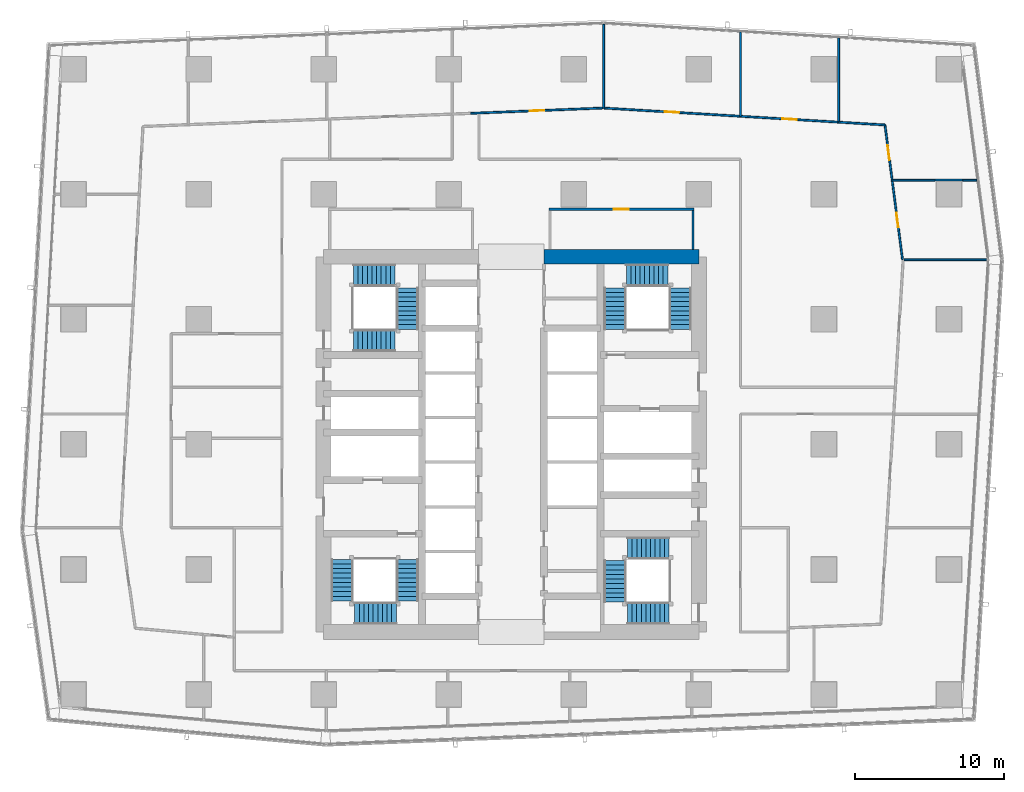
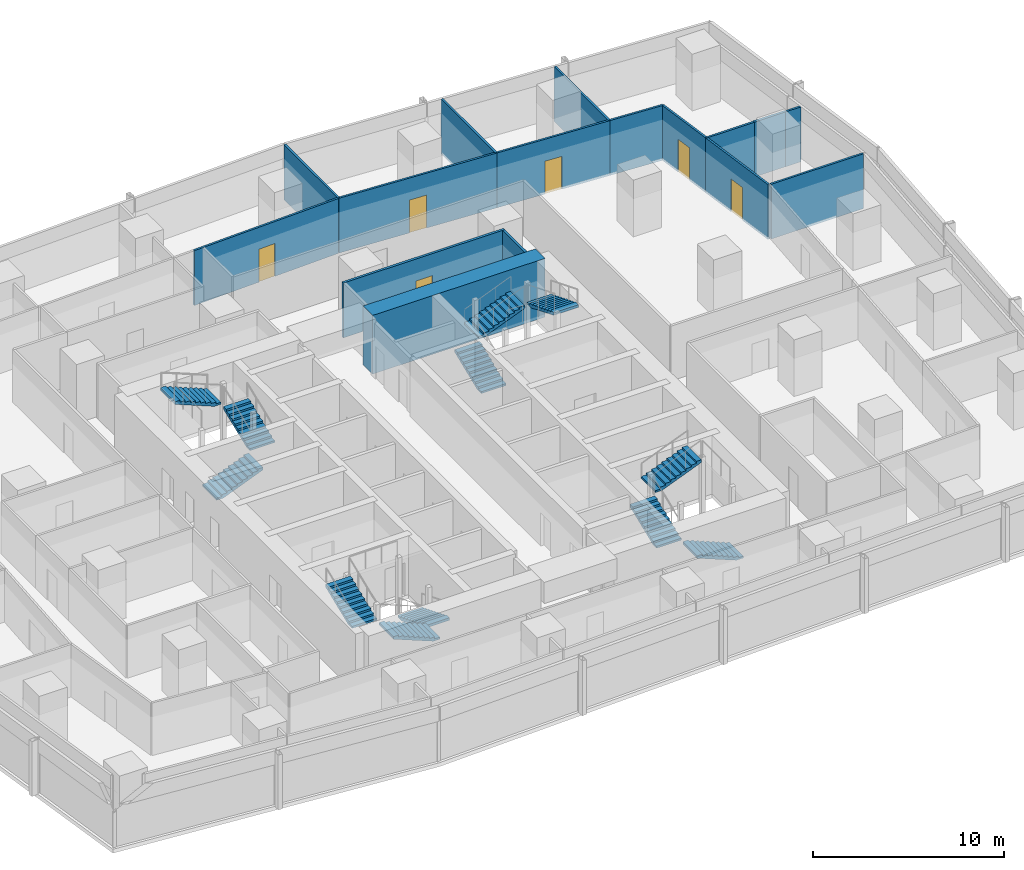
# One storey, part 32 of 40: 16 walls, 12 stair flights, 6 doors, 6 openings, 4 elements without a shape of their own.
"""IFC4 building model written with IfcOpenShell, lengths in metres."""

from ifc_helpers import new_model, si_unit, direction, frame, frame_2d, origin, place, context, subcontext, project, spatial, polyline, rectangle, outline, extrude, material, layer, layer_set, type_object, element, fill, aggregate, save


model = new_model("IFC4")

# Units and contexts
model_context = context("Model", 3, precision=1e-05, world=origin(), true_north=direction((0.0, 1.0)))
body_context = subcontext(model_context, "Body", "Model", "MODEL_VIEW")
ifc_project = project(units=[si_unit("LENGTHUNIT", "METRE"), si_unit("AREAUNIT", "SQUARE_METRE"), si_unit("VOLUMEUNIT", "CUBIC_METRE"), si_unit("PLANEANGLEUNIT", "RADIAN"), si_unit("MASSUNIT", "GRAM", prefix="KILO")], contexts=[model_context])

# Site, building, storey
site_placement = place(None, origin())
site = spatial("IfcSite", under=ifc_project, at=site_placement, CompositionType="ELEMENT")
building_placement = place(site_placement, origin())
building = spatial("IfcBuilding", under=site, at=building_placement, Name="Rekha Terrace Tower", CompositionType="ELEMENT")
storey_placement = place(building_placement, frame((0.0, 0.0, 140.300048828125)))
storey = spatial("IfcBuildingStorey", under=building, at=storey_placement, Name="L35", CompositionType="ELEMENT", Elevation=140.300048828125)

# Wall
ifc_material_1 = material(Name="Concrete M70", Category="concrete")
ifc_layer_1 = layer(ifc_material_1, 1.0)
ifc_layer_set_1 = layer_set([ifc_layer_1], Name="Concrete M70")
wall_type_1 = type_object("IfcWallType", Name="SW2 1000 core outer shear wall", PredefinedType="SHEAR", material=ifc_layer_set_1)
wall_1_placement = place(storey_placement, frame((40.0, 46.199951171875, 0.0), z_axis=(0.0, 0.0, 1.0), x_axis=(1.0, 0.0, 0.0)))
element("IfcWall", 1, at=wall_1_placement, inside=storey, type_object=wall_type_1, Name="Core wall N2 L35", PredefinedType="SHEAR", context=body_context, shape_type="SweptSolid", body=[
    extrude(rectangle(XDim=10.39990234375, YDim=1.0, at=frame_2d((5.199951171875, 0.0))), origin(), (0.0, 0.0, 1.0), 3.75),
])

# Wall, opening, door
ifc_material_2 = material(Name="Concrete block masonry, 1 hour", Category="masonry")
ifc_layer_2 = layer(ifc_material_2, 0.14990234375)
ifc_layer_set_2 = layer_set([ifc_layer_2], Name="Concrete block masonry, 1 hour")
wall_type_2 = type_object("IfcWallType", Name="WP2 150 tenancy partition", PredefinedType="PARTITIONING", material=ifc_layer_set_2)
wall_2_placement = place(storey_placement, frame((40.324951171875, 49.39990234375, 0.0), z_axis=(0.0, 0.0, 1.0), x_axis=(1.0, 0.0, 0.0)))
wall_2 = element("IfcWall", 2, at=wall_2_placement, inside=storey, type_object=wall_type_2, Name="Women's WC wall L35", PredefinedType="PARTITIONING", context=body_context, shape_type="SweptSolid", body=[
    extrude(rectangle(XDim=9.75, YDim=0.14990234375, at=frame_2d((4.875, 0.0))), origin(), (0.0, 0.0, 1.0), 3.5),
])
opening_1_placement = place(wall_2_placement, frame((4.375, 0.0, 0.0)))
opening_1 = element("IfcOpeningElement", 3, at=opening_1_placement, cuts=wall_2, Name="Opening D3", PredefinedType="OPENING", context=body_context, shape_type="SweptSolid", body=[
    extrude(rectangle(XDim=1.0, YDim=2.10009765625, at=frame_2d((0.5, 1.050048828125))), frame((0.0, 0.0849609375, 0.0), z_axis=(0.0, -1.0, 0.0), x_axis=(1.0, 0.0, 0.0)), (0.0, 0.0, 1.0), 0.169921875),
])
ifc_material_3 = material(Name="Laminated timber fire door", Category="wood")
door_type_1 = type_object("IfcDoorType", Name="D3 1000x2100 WC door", OperationType="SINGLE_SWING_LEFT", PredefinedType="DOOR", material=ifc_material_3)
door_1_placement = place(opening_1_placement, origin())
door_1 = element("IfcDoor", 4, at=door_1_placement, inside=storey, type_object=door_type_1, Name="Door women's wc L35", OperationType="SINGLE_SWING_LEFT", OverallHeight=2.10009765625, OverallWidth=1.0, PredefinedType="DOOR", context=body_context, shape_type="SweptSolid", body=[
    extrude(rectangle(XDim=1.0, YDim=2.10009765625, at=frame_2d((0.5, 1.050048828125))), frame((0.0, 0.02490234375, 0.0), z_axis=(0.0, -1.0, 0.0), x_axis=(1.0, 0.0, 0.0)), (0.0, 0.0, 1.0), 0.050048828125),
])
fill(opening_1, door_1)

# Walls
wall_3_placement = place(storey_placement, frame((50.0, 46.699951171875, 0.0), z_axis=(0.0, 0.0, 1.0), x_axis=(0.0, 1.0, 0.0)))
element("IfcWall", 5, at=wall_3_placement, inside=storey, type_object=wall_type_2, Name="Women's WC wall L35", PredefinedType="PARTITIONING", context=body_context, shape_type="SweptSolid", body=[
    extrude(rectangle(XDim=2.625, YDim=0.14990234375, at=frame_2d((1.3125, 0.0))), origin(), (0.0, 0.0, 1.0), 3.5),
])
wall_4_placement = place(storey_placement, frame((66.260009765625, 51.35498046875, 0.0), z_axis=(0.0, 0.0, 1.0), x_axis=(1.0, 0.0, 0.0)))
element("IfcWall", 6, at=wall_4_placement, inside=storey, type_object=wall_type_2, Name="Partition L35-O1", PredefinedType="PARTITIONING", context=body_context, shape_type="SweptSolid", body=[
    extrude(rectangle(XDim=1.8798828125, YDim=0.14990234375, at=frame_2d((0.93994140625, 0.0))), origin(), (0.0, 0.0, 1.0), 3.5),
])
ifc_material_4 = material(Name="Two layers of fire-rated gypsum board each side on steel studs, acoustic quilt, 1 hour", Category="steel")
ifc_layer_3 = layer(ifc_material_4, 0.125)
ifc_layer_set_3 = layer_set([ifc_layer_3], Name="Two layers of fire-rated gypsum board each side on steel studs, acoustic quilt, 1 hour")
wall_type_3 = type_object("IfcWallType", Name="WP3 125 office partition", PredefinedType="PARTITIONING", material=ifc_layer_set_3)
wall_5_placement = place(storey_placement, frame((64.18896484375, 46.0029296875, 0.0), z_axis=(0.0, 0.0, 1.0), x_axis=(1.0, 0.0, 0.0)))
element("IfcWall", 7, at=wall_5_placement, inside=storey, type_object=wall_type_3, Name="Partition L35-06", PredefinedType="PARTITIONING", context=body_context, shape_type="SweptSolid", body=[
    extrude(rectangle(XDim=5.56201171875, YDim=0.125, at=frame_2d((2.781005859375, 0.0))), origin(), (0.0, 0.0, 1.0), 3.5),
])

# Wall, opening, door
wall_6_placement = place(storey_placement, frame((64.0830078125, 46.012939453125, 0.0), z_axis=(0.0, 0.0, 1.0), x_axis=(-0.129253664266, 0.991611562192, 0.0)))
wall_6 = element("IfcWall", 8, at=wall_6_placement, inside=storey, type_object=wall_type_3, Name="Partition L35-07", PredefinedType="PARTITIONING", context=body_context, shape_type="SweptSolid", body=[
    extrude(rectangle(XDim=5.3701171875, YDim=0.125, at=frame_2d((2.68505859375, 0.0))), origin(), (0.0, 0.0, 1.0), 3.5),
])
opening_2_placement = place(wall_6_placement, frame((2.180908203125, 0.0, 0.0)))
opening_2 = element("IfcOpeningElement", 9, at=opening_2_placement, cuts=wall_6, Name="Opening D9", PredefinedType="OPENING", context=body_context, shape_type="SweptSolid", body=[
    extrude(rectangle(XDim=1.0, YDim=2.10009765625, at=frame_2d((0.5, 1.050048828125))), frame((0.0, 0.072509765625, 0.0), z_axis=(0.0, -1.0, 0.0), x_axis=(1.0, 0.0, 0.0)), (0.0, 0.0, 1.0), 0.14501953125),
])
ifc_material_5 = material(Name="Timber fire door", Category="wood")
door_type_2 = type_object("IfcDoorType", Name="D9 1000x2100 office door", OperationType="SINGLE_SWING_LEFT", PredefinedType="DOOR", material=ifc_material_5)
door_2_placement = place(opening_2_placement, origin())
door_2 = element("IfcDoor", 10, at=door_2_placement, inside=storey, type_object=door_type_2, Name="Door office L35", OperationType="SINGLE_SWING_LEFT", OverallHeight=2.10009765625, OverallWidth=1.0, PredefinedType="DOOR", context=body_context, shape_type="SweptSolid", body=[
    extrude(rectangle(XDim=1.0, YDim=2.10009765625, at=frame_2d((0.5, 1.050048828125))), frame((0.0, 0.02490234375, 0.0), z_axis=(0.0, -1.0, 0.0), x_axis=(1.0, 0.0, 0.0)), (0.0, 0.0, 1.0), 0.050048828125),
])
fill(opening_2, door_2)

# Walls
wall_7_placement = place(storey_placement, frame((63.388916015625, 51.337890625, 0.0), z_axis=(0.0, 0.0, 1.0), x_axis=(1.0, 0.0, 0.0)))
element("IfcWall", 11, at=wall_7_placement, inside=storey, type_object=wall_type_3, Name="Partition L35-07", PredefinedType="PARTITIONING", context=body_context, shape_type="SweptSolid", body=[
    extrude(rectangle(XDim=2.87109375, YDim=0.125, at=frame_2d((1.435546875, 0.0))), origin(), (0.0, 0.0, 1.0), 3.5),
])
wall_8_placement = place(storey_placement, frame((68.139892578125, 51.337890625, 0.0), z_axis=(0.0, 0.0, 1.0), x_axis=(1.0, 0.0, 0.0)))
element("IfcWall", 12, at=wall_8_placement, inside=storey, type_object=wall_type_3, Name="Partition L35-07", PredefinedType="PARTITIONING", context=body_context, shape_type="SweptSolid", body=[
    extrude(rectangle(XDim=0.9169921875, YDim=0.125, at=frame_2d((0.45849609375, 0.0))), origin(), (0.0, 0.0, 1.0), 3.5),
])
wall_9_placement = place(storey_placement, frame((59.7880859375, 55.242919921875, 0.0), z_axis=(0.0, 0.0, 1.0), x_axis=(0.0, 1.0, 0.0)))
element("IfcWall", 13, at=wall_9_placement, inside=storey, type_object=wall_type_3, Name="Partition L35-08", PredefinedType="PARTITIONING", context=body_context, shape_type="SweptSolid", body=[
    extrude(rectangle(XDim=5.66015625, YDim=0.125, at=frame_2d((2.830078125, 0.0))), origin(), (0.0, 0.0, 1.0), 3.5),
])

# Wall, opening, door
wall_10_placement = place(storey_placement, frame((63.388916015625, 51.339111328125, 0.0), z_axis=(0.0, 0.0, 1.0), x_axis=(-0.129099702307, 0.991631618528, 0.0)))
wall_10 = element("IfcWall", 14, at=wall_10_placement, inside=storey, type_object=wall_type_3, Name="Partition L35-08", PredefinedType="PARTITIONING", context=body_context, shape_type="SweptSolid", body=[
    extrude(rectangle(XDim=3.748046875, YDim=0.125, at=frame_2d((1.8740234375, 0.0))), origin(), (0.0, 0.0, 1.0), 3.5),
])
opening_3_placement = place(wall_10_placement, frame((1.3740234375, 0.0, 0.0)))
opening_3 = element("IfcOpeningElement", 15, at=opening_3_placement, cuts=wall_10, Name="Opening D9", PredefinedType="OPENING", context=body_context, shape_type="SweptSolid", body=[
    extrude(rectangle(XDim=1.0, YDim=2.10009765625, at=frame_2d((0.5, 1.050048828125))), frame((0.0, 0.072509765625, 0.0), z_axis=(0.0, -1.0, 0.0), x_axis=(1.0, 0.0, 0.0)), (0.0, 0.0, 1.0), 0.14501953125),
])
door_3_placement = place(opening_3_placement, origin())
door_3 = element("IfcDoor", 16, at=door_3_placement, inside=storey, type_object=door_type_2, Name="Door director's office L35", OperationType="SINGLE_SWING_LEFT", OverallHeight=2.10009765625, OverallWidth=1.0, PredefinedType="DOOR", context=body_context, shape_type="SweptSolid", body=[
    extrude(rectangle(XDim=1.0, YDim=2.10009765625, at=frame_2d((0.5, 1.050048828125))), frame((0.0, 0.02490234375, 0.0), z_axis=(0.0, -1.0, 0.0), x_axis=(1.0, 0.0, 0.0)), (0.0, 0.0, 1.0), 0.050048828125),
])
fill(opening_3, door_3)

# Wall
wall_11_placement = place(storey_placement, frame((62.905029296875, 55.055908203125, 0.0), z_axis=(0.0, 0.0, 1.0), x_axis=(-0.998204938952, 0.05989073261, 0.0)))
element("IfcWall", 17, at=wall_11_placement, inside=storey, type_object=wall_type_3, Name="Partition L35-08", PredefinedType="PARTITIONING", context=body_context, shape_type="SweptSolid", body=[
    extrude(rectangle(XDim=3.12255859375, YDim=0.125, at=frame_2d((1.561279296875, 0.0))), origin(), (0.0, 0.0, 1.0), 3.5),
])

# Wall, opening, door
wall_12_placement = place(storey_placement, frame((59.787109375, 55.242919921875, 0.0), z_axis=(0.0, 0.0, 1.0), x_axis=(-0.998199491257, 0.059981460928, 0.0)))
wall_12 = element("IfcWall", 18, at=wall_12_placement, inside=storey, type_object=wall_type_3, Name="Partition L35-09", PredefinedType="PARTITIONING", context=body_context, shape_type="SweptSolid", body=[
    extrude(rectangle(XDim=6.60205078125, YDim=0.125, at=frame_2d((3.301025390625, 0.0))), origin(), (0.0, 0.0, 1.0), 3.5),
])
opening_4_placement = place(wall_12_placement, frame((2.801025390625, 0.0, 0.0)))
opening_4 = element("IfcOpeningElement", 19, at=opening_4_placement, cuts=wall_12, Name="Opening D9", PredefinedType="OPENING", context=body_context, shape_type="SweptSolid", body=[
    extrude(rectangle(XDim=1.0, YDim=2.10009765625, at=frame_2d((0.5, 1.050048828125))), frame((0.0, 0.072509765625, 0.0), z_axis=(0.0, -1.0, 0.0), x_axis=(1.0, 0.0, 0.0)), (0.0, 0.0, 1.0), 0.14501953125),
])
door_4_placement = place(opening_4_placement, origin())
door_4 = element("IfcDoor", 20, at=door_4_placement, inside=storey, type_object=door_type_2, Name="Door office L35", OperationType="SINGLE_SWING_LEFT", OverallHeight=2.10009765625, OverallWidth=1.0, PredefinedType="DOOR", context=body_context, shape_type="SweptSolid", body=[
    extrude(rectangle(XDim=1.0, YDim=2.10009765625, at=frame_2d((0.5, 1.050048828125))), frame((0.0, 0.02490234375, 0.0), z_axis=(0.0, -1.0, 0.0), x_axis=(1.0, 0.0, 0.0)), (0.0, 0.0, 1.0), 0.050048828125),
])
fill(opening_4, door_4)

# Wall
wall_13_placement = place(storey_placement, frame((53.197021484375, 55.638916015625, 0.0), z_axis=(0.0, 0.0, 1.0), x_axis=(0.0, 1.0, 0.0)))
element("IfcWall", 21, at=wall_13_placement, inside=storey, type_object=wall_type_3, Name="Partition L35-09", PredefinedType="PARTITIONING", context=body_context, shape_type="SweptSolid", body=[
    extrude(rectangle(XDim=5.66015625, YDim=0.125, at=frame_2d((2.830078125, 0.0))), origin(), (0.0, 0.0, 1.0), 3.5),
])

# Wall, opening, door
wall_14_placement = place(storey_placement, frame((53.196044921875, 55.638916015625, 0.0), z_axis=(0.0, 0.0, 1.0), x_axis=(-0.998195418224, 0.060049205128, 0.0)))
wall_14 = element("IfcWall", 22, at=wall_14_placement, inside=storey, type_object=wall_type_3, Name="Partition L35-10", PredefinedType="PARTITIONING", context=body_context, shape_type="SweptSolid", body=[
    extrude(rectangle(XDim=9.208740234375, YDim=0.125, at=frame_2d((4.6044921875, 0.0))), origin(), (0.0, 0.0, 1.0), 3.5),
])
opening_5_placement = place(wall_14_placement, frame((4.10400390625, 0.0, 0.0)))
opening_5 = element("IfcOpeningElement", 23, at=opening_5_placement, cuts=wall_14, Name="Opening D9", PredefinedType="OPENING", context=body_context, shape_type="SweptSolid", body=[
    extrude(rectangle(XDim=1.0, YDim=2.10009765625, at=frame_2d((0.5, 1.050048828125))), frame((0.0, 0.072509765625, 0.0), z_axis=(0.0, -1.0, 0.0), x_axis=(1.0, 0.0, 0.0)), (0.0, 0.0, 1.0), 0.14501953125),
])
door_5_placement = place(opening_5_placement, origin())
door_5 = element("IfcDoor", 24, at=door_5_placement, inside=storey, type_object=door_type_2, Name="Door office L35", OperationType="SINGLE_SWING_LEFT", OverallHeight=2.10009765625, OverallWidth=1.0, PredefinedType="DOOR", context=body_context, shape_type="SweptSolid", body=[
    extrude(rectangle(XDim=1.0, YDim=2.10009765625, at=frame_2d((0.5, 1.050048828125))), frame((0.0, 0.02490234375, 0.0), z_axis=(0.0, -1.0, 0.0), x_axis=(1.0, 0.0, 0.0)), (0.0, 0.0, 1.0), 0.050048828125),
])
fill(opening_5, door_5)

# Wall
wall_15_placement = place(storey_placement, frame((44.00390625, 56.19189453125, 0.0), z_axis=(0.0, 0.0, 1.0), x_axis=(0.0, 1.0, 0.0)))
element("IfcWall", 25, at=wall_15_placement, inside=storey, type_object=wall_type_3, Name="Partition L35-10", PredefinedType="PARTITIONING", context=body_context, shape_type="SweptSolid", body=[
    extrude(rectangle(XDim=5.627197265625, YDim=0.125, at=frame_2d((2.8134765625, 0.0))), origin(), (0.0, 0.0, 1.0), 3.5),
])

# Wall, opening, door
wall_16_placement = place(storey_placement, frame((43.952880859375, 56.19189453125, 0.0), z_axis=(0.0, 0.0, 1.0), x_axis=(-0.999200038325, -0.039991041639, 0.0)))
wall_16 = element("IfcWall", 26, at=wall_16_placement, inside=storey, type_object=wall_type_3, Name="Partition L35-11", PredefinedType="PARTITIONING", context=body_context, shape_type="SweptSolid", body=[
    extrude(rectangle(XDim=8.90087890625, YDim=0.125, at=frame_2d((4.450439453125, 0.0))), origin(), (0.0, 0.0, 1.0), 3.5),
])
opening_6_placement = place(wall_16_placement, frame((3.926025390625, 0.0, 0.0)))
opening_6 = element("IfcOpeningElement", 27, at=opening_6_placement, cuts=wall_16, Name="Opening D9", PredefinedType="OPENING", context=body_context, shape_type="SweptSolid", body=[
    extrude(rectangle(XDim=1.0, YDim=2.10009765625, at=frame_2d((0.5, 1.050048828125))), frame((0.0, 0.072509765625, 0.0), z_axis=(0.0, -1.0, 0.0), x_axis=(1.0, 0.0, 0.0)), (0.0, 0.0, 1.0), 0.14501953125),
])
door_6_placement = place(opening_6_placement, origin())
door_6 = element("IfcDoor", 28, at=door_6_placement, inside=storey, type_object=door_type_2, Name="Door office L35", OperationType="SINGLE_SWING_LEFT", OverallHeight=2.10009765625, OverallWidth=1.0, PredefinedType="DOOR", context=body_context, shape_type="SweptSolid", body=[
    extrude(rectangle(XDim=1.0, YDim=2.10009765625, at=frame_2d((0.5, 1.050048828125))), frame((0.0, 0.02490234375, 0.0), z_axis=(0.0, -1.0, 0.0), x_axis=(1.0, 0.0, 0.0)), (0.0, 0.0, 1.0), 0.050048828125),
])
fill(opening_6, door_6)

# Stair, stair flights
ifc_material_6 = material(Name="Concrete M40", Category="concrete")
stair_type = type_object("IfcStairType", Name="ST30 stair, 30 risers of 125, going 310, 1500 wide flights, 3 flights", PredefinedType="HALF_TURN_STAIR", material=ifc_material_6)
stair_1_placement = place(storey_placement, origin())
stair_1 = element("IfcStair", 29, at=stair_1_placement, inside=storey, type_object=stair_type, Name="Stair ST1 L35 to L36", PredefinedType="HALF_TURN_STAIR")
stair_flight_type = type_object("IfcStairFlightType", Name="SF10 stair flight, 10 risers of 125, going 310, 1500 wide", PredefinedType="STRAIGHT", material=ifc_material_6)
stair_flight_1_placement = place(storey_placement, frame((30.824951171875, 25.875, 0.0), z_axis=(0.0, 0.0, 1.0), x_axis=(0.0, -1.0, 0.0)))
stair_flight_1 = element("IfcStairFlight", 30, at=stair_flight_1_placement, type_object=stair_flight_type, Name="ST1 flight 1", NumberOfRisers=10, NumberOfTreads=9, PredefinedType="STRAIGHT", RiserHeight=0.125, TreadLength=0.31, context=body_context, shape_type="SweptSolid", body=[
    extrude(outline(polyline([(0.0, 0.0), (0.0, 0.125), (0.31005859375, 0.125), (0.31005859375, 0.25), (0.6201171875, 0.25), (0.6201171875, 0.375), (0.929931640625, 0.375), (0.929931640625, 0.5), (1.239990234375, 0.5), (1.239990234375, 0.625), (1.550048828125, 0.625), (1.550048828125, 0.75), (1.860107421875, 0.75), (1.860107421875, 0.875), (2.169921875, 0.875), (2.169921875, 1.0), (2.47998046875, 1.0), (2.47998046875, 1.125), (2.7900390625, 1.125), (2.7900390625, 1.25), (2.7900390625, 0.96337890625), (0.40087890625, 0.0), (0.0, 0.0)])), frame((0.0, 0.75, 0.0), z_axis=(0.0, -1.0, 0.0), x_axis=(1.0, 0.0, 0.0)), (0.0, 0.0, 1.0), 1.5),
])
stair_flight_2_placement = place(storey_placement, frame((30.074951171875, 22.25, 1.25), z_axis=(0.0, 0.0, 1.0), x_axis=(-1.0, 0.0, 0.0)))
stair_flight_2 = element("IfcStairFlight", 31, at=stair_flight_2_placement, type_object=stair_flight_type, Name="ST1 flight 2", NumberOfRisers=10, NumberOfTreads=9, PredefinedType="STRAIGHT", RiserHeight=0.125, TreadLength=0.31, context=body_context, shape_type="SweptSolid", body=[
    extrude(outline(polyline([(0.0, 0.0), (0.0, 0.125), (0.31005859375, 0.125), (0.31005859375, 0.25), (0.6201171875, 0.25), (0.6201171875, 0.375), (0.929931640625, 0.375), (0.929931640625, 0.5), (1.239990234375, 0.5), (1.239990234375, 0.625), (1.550048828125, 0.625), (1.550048828125, 0.75), (1.860107421875, 0.75), (1.860107421875, 0.875), (2.169921875, 0.875), (2.169921875, 1.0), (2.47998046875, 1.0), (2.47998046875, 1.125), (2.7900390625, 1.125), (2.7900390625, 1.25), (2.7900390625, 0.96337890625), (0.40087890625, 0.0), (0.0, 0.0)])), frame((0.0, 0.75, 0.0), z_axis=(0.0, -1.0, 0.0), x_axis=(1.0, 0.0, 0.0)), (0.0, 0.0, 1.0), 1.5),
])
stair_flight_3_placement = place(storey_placement, frame((26.449951171875, 23.0849609375, 2.5), z_axis=(0.0, 0.0, 1.0), x_axis=(0.0, 1.0, 0.0)))
stair_flight_3 = element("IfcStairFlight", 32, at=stair_flight_3_placement, type_object=stair_flight_type, Name="ST1 flight 3", NumberOfRisers=10, NumberOfTreads=9, PredefinedType="STRAIGHT", RiserHeight=0.125, TreadLength=0.31, context=body_context, shape_type="SweptSolid", body=[
    extrude(outline(polyline([(0.0, 0.0), (0.0, 0.125), (0.31005859375, 0.125), (0.31005859375, 0.25), (0.6201171875, 0.25), (0.6201171875, 0.375), (0.929931640625, 0.375), (0.929931640625, 0.5), (1.239990234375, 0.5), (1.239990234375, 0.625), (1.550048828125, 0.625), (1.550048828125, 0.75), (1.860107421875, 0.75), (1.860107421875, 0.875), (2.169921875, 0.875), (2.169921875, 1.0), (2.47998046875, 1.0), (2.47998046875, 1.125), (2.7900390625, 1.125), (2.7900390625, 1.25), (2.7900390625, 0.96337890625), (0.40087890625, 0.0), (0.0, 0.0)])), frame((0.0, 0.75, 0.0), z_axis=(0.0, -1.0, 0.0), x_axis=(1.0, 0.0, 0.0)), (0.0, 0.0, 1.0), 1.5),
])
aggregate(stair_1, [stair_flight_1, stair_flight_2, stair_flight_3])

stair_2_placement = place(storey_placement, origin())
stair_2 = element("IfcStair", 33, at=stair_2_placement, inside=storey, type_object=stair_type, Name="Stair ST2 L35 to L36", PredefinedType="HALF_TURN_STAIR")
stair_flight_4_placement = place(storey_placement, frame((44.77490234375, 41.324951171875, 0.0), z_axis=(0.0, 0.0, 1.0), x_axis=(0.0, 1.0, 0.0)))
stair_flight_4 = element("IfcStairFlight", 34, at=stair_flight_4_placement, type_object=stair_flight_type, Name="ST2 flight 1", NumberOfRisers=10, NumberOfTreads=9, PredefinedType="STRAIGHT", RiserHeight=0.125, TreadLength=0.31, context=body_context, shape_type="SweptSolid", body=[
    extrude(outline(polyline([(0.0, 0.0), (0.0, 0.125), (0.31005859375, 0.125), (0.31005859375, 0.25), (0.6201171875, 0.25), (0.6201171875, 0.375), (0.929931640625, 0.375), (0.929931640625, 0.5), (1.239990234375, 0.5), (1.239990234375, 0.625), (1.550048828125, 0.625), (1.550048828125, 0.75), (1.860107421875, 0.75), (1.860107421875, 0.875), (2.169921875, 0.875), (2.169921875, 1.0), (2.47998046875, 1.0), (2.47998046875, 1.125), (2.7900390625, 1.125), (2.7900390625, 1.25), (2.7900390625, 0.96337890625), (0.40087890625, 0.0), (0.0, 0.0)])), frame((0.0, 0.75, 0.0), z_axis=(0.0, -1.0, 0.0), x_axis=(1.0, 0.0, 0.0)), (0.0, 0.0, 1.0), 1.5),
])
stair_flight_5_placement = place(storey_placement, frame((45.52490234375, 44.949951171875, 1.25), z_axis=(0.0, 0.0, 1.0), x_axis=(1.0, 0.0, 0.0)))
stair_flight_5 = element("IfcStairFlight", 35, at=stair_flight_5_placement, type_object=stair_flight_type, Name="ST2 flight 2", NumberOfRisers=10, NumberOfTreads=9, PredefinedType="STRAIGHT", RiserHeight=0.125, TreadLength=0.31, context=body_context, shape_type="SweptSolid", body=[
    extrude(outline(polyline([(0.0, 0.0), (0.0, 0.125), (0.31005859375, 0.125), (0.31005859375, 0.25), (0.6201171875, 0.25), (0.6201171875, 0.375), (0.929931640625, 0.375), (0.929931640625, 0.5), (1.239990234375, 0.5), (1.239990234375, 0.625), (1.550048828125, 0.625), (1.550048828125, 0.75), (1.860107421875, 0.75), (1.860107421875, 0.875), (2.169921875, 0.875), (2.169921875, 1.0), (2.47998046875, 1.0), (2.47998046875, 1.125), (2.7900390625, 1.125), (2.7900390625, 1.25), (2.7900390625, 0.96337890625), (0.40087890625, 0.0), (0.0, 0.0)])), frame((0.0, 0.75, 0.0), z_axis=(0.0, -1.0, 0.0), x_axis=(1.0, 0.0, 0.0)), (0.0, 0.0, 1.0), 1.5),
])
stair_flight_6_placement = place(storey_placement, frame((49.14990234375, 44.114990234375, 2.5), z_axis=(0.0, 0.0, 1.0), x_axis=(0.0, -1.0, 0.0)))
stair_flight_6 = element("IfcStairFlight", 36, at=stair_flight_6_placement, type_object=stair_flight_type, Name="ST2 flight 3", NumberOfRisers=10, NumberOfTreads=9, PredefinedType="STRAIGHT", RiserHeight=0.125, TreadLength=0.31, context=body_context, shape_type="SweptSolid", body=[
    extrude(outline(polyline([(0.0, 0.0), (0.0, 0.125), (0.31005859375, 0.125), (0.31005859375, 0.25), (0.6201171875, 0.25), (0.6201171875, 0.375), (0.929931640625, 0.375), (0.929931640625, 0.5), (1.239990234375, 0.5), (1.239990234375, 0.625), (1.550048828125, 0.625), (1.550048828125, 0.75), (1.860107421875, 0.75), (1.860107421875, 0.875), (2.169921875, 0.875), (2.169921875, 1.0), (2.47998046875, 1.0), (2.47998046875, 1.125), (2.7900390625, 1.125), (2.7900390625, 1.25), (2.7900390625, 0.96337890625), (0.40087890625, 0.0), (0.0, 0.0)])), frame((0.0, 0.75, 0.0), z_axis=(0.0, -1.0, 0.0), x_axis=(1.0, 0.0, 0.0)), (0.0, 0.0, 1.0), 1.5),
])
aggregate(stair_2, [stair_flight_4, stair_flight_5, stair_flight_6])

stair_3_placement = place(storey_placement, origin())
stair_3 = element("IfcStair", 37, at=stair_3_placement, inside=storey, type_object=stair_type, Name="Stair ST3 L35 to L36", PredefinedType="HALF_TURN_STAIR")
stair_flight_7_placement = place(storey_placement, frame((48.39990234375, 22.25, 0.0), z_axis=(0.0, 0.0, 1.0), x_axis=(-1.0, 0.0, 0.0)))
stair_flight_7 = element("IfcStairFlight", 38, at=stair_flight_7_placement, type_object=stair_flight_type, Name="ST3 flight 1", NumberOfRisers=10, NumberOfTreads=9, PredefinedType="STRAIGHT", RiserHeight=0.125, TreadLength=0.31, context=body_context, shape_type="SweptSolid", body=[
    extrude(outline(polyline([(0.0, 0.0), (0.0, 0.125), (0.31005859375, 0.125), (0.31005859375, 0.25), (0.6201171875, 0.25), (0.6201171875, 0.375), (0.929931640625, 0.375), (0.929931640625, 0.5), (1.239990234375, 0.5), (1.239990234375, 0.625), (1.550048828125, 0.625), (1.550048828125, 0.75), (1.860107421875, 0.75), (1.860107421875, 0.875), (2.169921875, 0.875), (2.169921875, 1.0), (2.47998046875, 1.0), (2.47998046875, 1.125), (2.7900390625, 1.125), (2.7900390625, 1.25), (2.7900390625, 0.96337890625), (0.40087890625, 0.0), (0.0, 0.0)])), frame((0.0, 0.75, 0.0), z_axis=(0.0, -1.0, 0.0), x_axis=(1.0, 0.0, 0.0)), (0.0, 0.0, 1.0), 1.5),
])
stair_flight_8_placement = place(storey_placement, frame((44.77490234375, 23.0, 1.25), z_axis=(0.0, 0.0, 1.0), x_axis=(0.0, 1.0, 0.0)))
stair_flight_8 = element("IfcStairFlight", 39, at=stair_flight_8_placement, type_object=stair_flight_type, Name="ST3 flight 2", NumberOfRisers=10, NumberOfTreads=9, PredefinedType="STRAIGHT", RiserHeight=0.125, TreadLength=0.31, context=body_context, shape_type="SweptSolid", body=[
    extrude(outline(polyline([(0.0, 0.0), (0.0, 0.125), (0.31005859375, 0.125), (0.31005859375, 0.25), (0.6201171875, 0.25), (0.6201171875, 0.375), (0.929931640625, 0.375), (0.929931640625, 0.5), (1.239990234375, 0.5), (1.239990234375, 0.625), (1.550048828125, 0.625), (1.550048828125, 0.75), (1.860107421875, 0.75), (1.860107421875, 0.875), (2.169921875, 0.875), (2.169921875, 1.0), (2.47998046875, 1.0), (2.47998046875, 1.125), (2.7900390625, 1.125), (2.7900390625, 1.25), (2.7900390625, 0.96337890625), (0.40087890625, 0.0), (0.0, 0.0)])), frame((0.0, 0.75, 0.0), z_axis=(0.0, -1.0, 0.0), x_axis=(1.0, 0.0, 0.0)), (0.0, 0.0, 1.0), 1.5),
])
stair_flight_9_placement = place(storey_placement, frame((45.610107421875, 26.625, 2.5), z_axis=(0.0, 0.0, 1.0), x_axis=(1.0, 0.0, 0.0)))
stair_flight_9 = element("IfcStairFlight", 40, at=stair_flight_9_placement, type_object=stair_flight_type, Name="ST3 flight 3", NumberOfRisers=10, NumberOfTreads=9, PredefinedType="STRAIGHT", RiserHeight=0.125, TreadLength=0.31, context=body_context, shape_type="SweptSolid", body=[
    extrude(outline(polyline([(0.0, 0.0), (0.0, 0.125), (0.31005859375, 0.125), (0.31005859375, 0.25), (0.6201171875, 0.25), (0.6201171875, 0.375), (0.929931640625, 0.375), (0.929931640625, 0.5), (1.239990234375, 0.5), (1.239990234375, 0.625), (1.550048828125, 0.625), (1.550048828125, 0.75), (1.860107421875, 0.75), (1.860107421875, 0.875), (2.169921875, 0.875), (2.169921875, 1.0), (2.47998046875, 1.0), (2.47998046875, 1.125), (2.7900390625, 1.125), (2.7900390625, 1.25), (2.7900390625, 0.96337890625), (0.40087890625, 0.0), (0.0, 0.0)])), frame((0.0, 0.75, 0.0), z_axis=(0.0, -1.0, 0.0), x_axis=(1.0, 0.0, 0.0)), (0.0, 0.0, 1.0), 1.5),
])
aggregate(stair_3, [stair_flight_7, stair_flight_8, stair_flight_9])

stair_4_placement = place(storey_placement, origin())
stair_4 = element("IfcStair", 41, at=stair_4_placement, inside=storey, type_object=stair_type, Name="Stair ST4 L35 to L36", PredefinedType="HALF_TURN_STAIR")
stair_flight_10_placement = place(storey_placement, frame((27.199951171875, 40.574951171875, 0.0), z_axis=(0.0, 0.0, 1.0), x_axis=(1.0, 0.0, 0.0)))
stair_flight_10 = element("IfcStairFlight", 42, at=stair_flight_10_placement, type_object=stair_flight_type, Name="ST4 flight 1", NumberOfRisers=10, NumberOfTreads=9, PredefinedType="STRAIGHT", RiserHeight=0.125, TreadLength=0.31, context=body_context, shape_type="SweptSolid", body=[
    extrude(outline(polyline([(0.0, 0.0), (0.0, 0.125), (0.31005859375, 0.125), (0.31005859375, 0.25), (0.6201171875, 0.25), (0.6201171875, 0.375), (0.929931640625, 0.375), (0.929931640625, 0.5), (1.239990234375, 0.5), (1.239990234375, 0.625), (1.550048828125, 0.625), (1.550048828125, 0.75), (1.860107421875, 0.75), (1.860107421875, 0.875), (2.169921875, 0.875), (2.169921875, 1.0), (2.47998046875, 1.0), (2.47998046875, 1.125), (2.7900390625, 1.125), (2.7900390625, 1.25), (2.7900390625, 0.96337890625), (0.40087890625, 0.0), (0.0, 0.0)])), frame((0.0, 0.75, 0.0), z_axis=(0.0, -1.0, 0.0), x_axis=(1.0, 0.0, 0.0)), (0.0, 0.0, 1.0), 1.5),
])
stair_flight_11_placement = place(storey_placement, frame((30.824951171875, 41.324951171875, 1.25), z_axis=(0.0, 0.0, 1.0), x_axis=(0.0, 1.0, 0.0)))
stair_flight_11 = element("IfcStairFlight", 43, at=stair_flight_11_placement, type_object=stair_flight_type, Name="ST4 flight 2", NumberOfRisers=10, NumberOfTreads=9, PredefinedType="STRAIGHT", RiserHeight=0.125, TreadLength=0.31, context=body_context, shape_type="SweptSolid", body=[
    extrude(outline(polyline([(0.0, 0.0), (0.0, 0.125), (0.31005859375, 0.125), (0.31005859375, 0.25), (0.6201171875, 0.25), (0.6201171875, 0.375), (0.929931640625, 0.375), (0.929931640625, 0.5), (1.239990234375, 0.5), (1.239990234375, 0.625), (1.550048828125, 0.625), (1.550048828125, 0.75), (1.860107421875, 0.75), (1.860107421875, 0.875), (2.169921875, 0.875), (2.169921875, 1.0), (2.47998046875, 1.0), (2.47998046875, 1.125), (2.7900390625, 1.125), (2.7900390625, 1.25), (2.7900390625, 0.96337890625), (0.40087890625, 0.0), (0.0, 0.0)])), frame((0.0, 0.75, 0.0), z_axis=(0.0, -1.0, 0.0), x_axis=(1.0, 0.0, 0.0)), (0.0, 0.0, 1.0), 1.5),
])
stair_flight_12_placement = place(storey_placement, frame((29.989990234375, 44.949951171875, 2.5), z_axis=(0.0, 0.0, 1.0), x_axis=(-1.0, 0.0, 0.0)))
stair_flight_12 = element("IfcStairFlight", 44, at=stair_flight_12_placement, type_object=stair_flight_type, Name="ST4 flight 3", NumberOfRisers=10, NumberOfTreads=9, PredefinedType="STRAIGHT", RiserHeight=0.125, TreadLength=0.31, context=body_context, shape_type="SweptSolid", body=[
    extrude(outline(polyline([(0.0, 0.0), (0.0, 0.125), (0.31005859375, 0.125), (0.31005859375, 0.25), (0.6201171875, 0.25), (0.6201171875, 0.375), (0.929931640625, 0.375), (0.929931640625, 0.5), (1.239990234375, 0.5), (1.239990234375, 0.625), (1.550048828125, 0.625), (1.550048828125, 0.75), (1.860107421875, 0.75), (1.860107421875, 0.875), (2.169921875, 0.875), (2.169921875, 1.0), (2.47998046875, 1.0), (2.47998046875, 1.125), (2.7900390625, 1.125), (2.7900390625, 1.25), (2.7900390625, 0.96337890625), (0.40087890625, 0.0), (0.0, 0.0)])), frame((0.0, 0.75, 0.0), z_axis=(0.0, -1.0, 0.0), x_axis=(1.0, 0.0, 0.0)), (0.0, 0.0, 1.0), 1.5),
])
aggregate(stair_4, [stair_flight_10, stair_flight_11, stair_flight_12])

save(model, "model.ifc")
